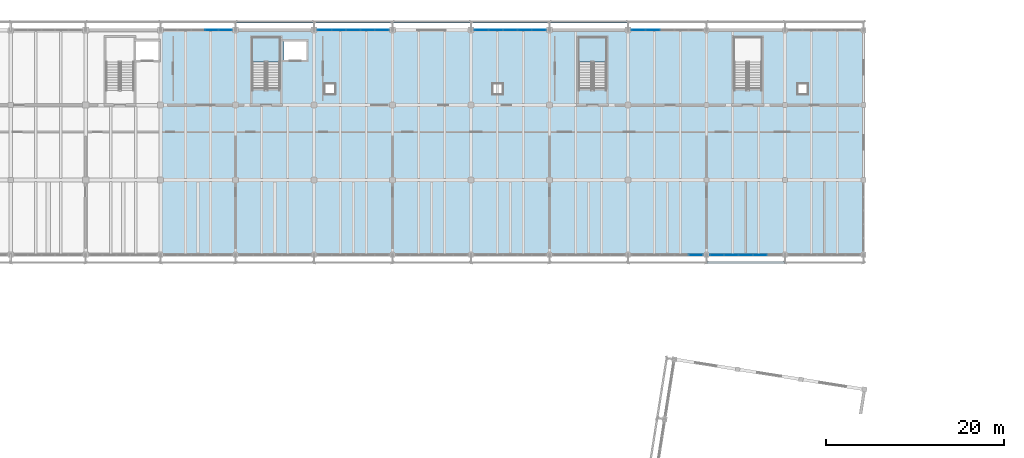
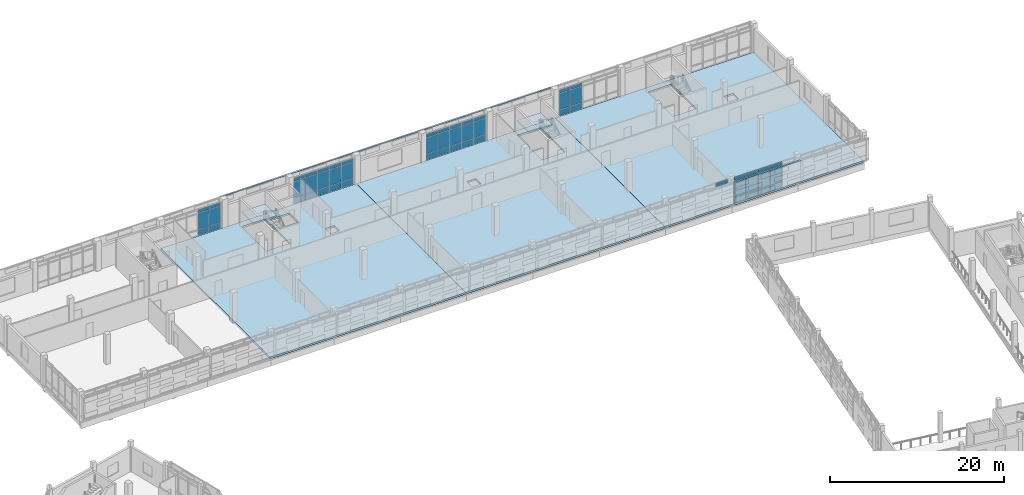
# One storey, part 102 of 137: 61 plates, 5 slabs, 8 elements without a shape of their own.
"""IFC4 building model written with IfcOpenShell, lengths in metres."""

import ifcopenshell
import ifcopenshell.guid

model = None  # the IFC model being written
_history = None  # IfcOwnerHistory: only IFC2X3 demands one
_inside = {}  # id of a spatial element -> (the spatial element, [elements in it])
_under = {}  # id of a project, library or spatial element -> (it, [spatial elements below it])
_declared = {}  # id of a project -> (the project, [libraries it declares])
_typed = {}  # id of a type object -> (the type object, [elements of that type])
_made_of = {}  # id of a material, layer set ... -> (it, [elements and type objects made of it])


def new_model(schema):
    """Start an empty IFC model of exactly this schema.

    Asked for "IFC4X3", IfcOpenShell would pick the latest addendum, in which some entities
    have other attributes; the version numbers below select the first issue.
    IFC2X3 requires an IfcOwnerHistory on every rooted entity: one is made here for all.
    """
    global model, _history
    if schema == "IFC4X3":
        model = ifcopenshell.file(schema_version=(4, 3, 0, 0))
    else:
        model = ifcopenshell.file(schema=schema)
    _inside.clear()
    _under.clear()
    _declared.clear()
    _typed.clear()
    _made_of.clear()
    _history = None
    if model.schema == "IFC2X3":
        org = make("IfcOrganization", Name="unknown")
        user = make(
            "IfcPersonAndOrganization",
            ThePerson=make("IfcPerson", FamilyName="unknown"),
            TheOrganization=org,
        )
        app = make(
            "IfcApplication",
            ApplicationDeveloper=org,
            Version="unknown",
            ApplicationFullName="unknown",
            ApplicationIdentifier="unknown",
        )
        _history = make(
            "IfcOwnerHistory",
            OwningUser=user,
            OwningApplication=app,
            ChangeAction="ADDED",
            CreationDate=0,
        )
    return model


def make(cls, **values):
    """One entity of the class cls with the attributes given. An attribute that is None is left unset."""
    return model.create_entity(
        cls, **{name: value for name, value in values.items() if value is not None}
    )


def rooted(cls, **values):
    """An entity with a GlobalId (a new one), such as an element, a storey or a relation."""
    return make(cls, GlobalId=ifcopenshell.guid.new(), OwnerHistory=_history, **values)


def si_unit(unit_type, name, prefix=None):
    """IfcSIUnit, for example si_unit("LENGTHUNIT", "METRE", prefix="MILLI")."""
    return make("IfcSIUnit", UnitType=unit_type, Prefix=prefix, Name=name)


def assignment(units):
    """IfcUnitAssignment: the units of a project."""
    return None if units is None else make("IfcUnitAssignment", Units=units)


def point(xyz):
    """IfcCartesianPoint."""
    return None if xyz is None else make("IfcCartesianPoint", Coordinates=xyz)


def direction(xyz):
    """IfcDirection."""
    return None if xyz is None else make("IfcDirection", DirectionRatios=xyz)


def frame(location, z_axis=None, x_axis=None):
    """IfcAxis2Placement3D, a coordinate frame: its origin and axes. An axis left out is left unset."""
    return make(
        "IfcAxis2Placement3D",
        Location=point(location),
        Axis=direction(z_axis),
        RefDirection=direction(x_axis),
    )


def frame_2d(location, x_axis=None):
    """IfcAxis2Placement2D, a coordinate frame in the plane: its origin and x axis."""
    return make(
        "IfcAxis2Placement2D", Location=point(location), RefDirection=direction(x_axis)
    )


def origin():
    """The frame at (0, 0, 0) with its axes left unset."""
    return frame((0.0, 0.0, 0.0))


def origin_2d():
    """The frame at (0, 0) in the plane with its x axis left unset."""
    return frame_2d((0.0, 0.0))


def place(relative_to, where):
    """IfcLocalPlacement: puts the frame where relative to a parent placement (None: the world)."""
    return make(
        "IfcLocalPlacement", PlacementRelTo=relative_to, RelativePlacement=where
    )


def context(
    kind, dimensions, precision=None, world=None, true_north=None, identifier=None
):
    """IfcGeometricRepresentationContext, for example the 3D "Model" context."""
    return make(
        "IfcGeometricRepresentationContext",
        ContextIdentifier=identifier,
        ContextType=kind,
        CoordinateSpaceDimension=dimensions,
        Precision=precision,
        WorldCoordinateSystem=world,
        TrueNorth=true_north,
    )


def subcontext(parent, identifier, kind, view, scale=None):
    """IfcGeometricRepresentationSubContext, for example "Body" below "Model"."""
    return make(
        "IfcGeometricRepresentationSubContext",
        ContextIdentifier=identifier,
        ContextType=kind,
        ParentContext=parent,
        TargetScale=scale,
        TargetView=view,
    )


def project(units=None, contexts=None):
    """IfcProject with its units and contexts."""
    return rooted(
        "IfcProject",
        Name="project",
        RepresentationContexts=contexts,
        UnitsInContext=assignment(units),
    )


def spatial(cls, under=None, at=None, **own):
    """A site, building, storey or space (cls), placed at a placement, below another one or the project."""
    s = rooted(cls, ObjectPlacement=at, **own)
    if under is not None:
        _under.setdefault(under.id(), (under, []))[1].append(s)
    return s


def polyline(points):
    """IfcPolyline through the points."""
    return make("IfcPolyline", Points=[point(p) for p in points])


def profile(cls, at=None, kind="AREA", **sizes):
    """A parametric profile (cls). Its sizes go by their IFC names, for example OverallWidth=200.0."""
    return make(cls, ProfileType=kind, Position=at, **sizes)


def rectangle(**sizes):
    """IfcRectangleProfileDef."""
    return profile("IfcRectangleProfileDef", **sizes)


def outline(outer, holes=None, kind="AREA"):
    """IfcArbitraryClosedProfileDef: a profile drawn as a closed curve; with holes, ...WithVoids."""
    if holes is None:
        return make("IfcArbitraryClosedProfileDef", ProfileType=kind, OuterCurve=outer)
    return make(
        "IfcArbitraryProfileDefWithVoids",
        ProfileType=kind,
        OuterCurve=outer,
        InnerCurves=holes,
    )


def extrude(swept, where, along, depth):
    """IfcExtrudedAreaSolid: the profile swept, set in the frame where, extruded along a direction by depth."""
    return make(
        "IfcExtrudedAreaSolid",
        SweptArea=swept,
        Position=where,
        ExtrudedDirection=direction(along),
        Depth=depth,
    )


def shape(context_of_items, identifier, shape_type, items):
    """IfcShapeRepresentation: the items that make up one representation, for example the "Body"."""
    return make(
        "IfcShapeRepresentation",
        ContextOfItems=context_of_items,
        RepresentationIdentifier=identifier,
        RepresentationType=shape_type,
        Items=items,
    )


def material(Name=None, Category=None):
    """IfcMaterial."""
    return make("IfcMaterial", Name=Name, Category=Category)


def layer(
    of_material, thickness, ventilated=None, Name=None, Category=None, Priority=None
):
    """IfcMaterialLayer: one layer of a wall or slab, of a material (None: an air gap)."""
    return make(
        "IfcMaterialLayer",
        Material=of_material,
        LayerThickness=thickness,
        IsVentilated=ventilated,
        Name=Name,
        Category=Category,
        Priority=Priority,
    )


def layer_set(layers, Name=None):
    """IfcMaterialLayerSet."""
    return make("IfcMaterialLayerSet", MaterialLayers=layers, LayerSetName=Name)


def made_of(thing, what):
    """Note that an element or type object is made of a material, layer set ...; save() writes the relation."""
    if what is not None:
        _made_of.setdefault(what.id(), (what, []))[1].append(thing)
    return thing


def type_object(cls, material=None, **own):
    """A type object (cls), such as IfcWallType, which elements share."""
    return made_of(rooted(cls, **own), material)


def element(
    cls,
    number,
    at=None,
    inside=None,
    cuts=None,
    type_object=None,
    material=None,
    context=None,
    identifier="Body",
    shape_type=None,
    held_by="IfcProductDefinitionShape",
    body=None,
    shapes=None,
    **own,
):
    """One element of the class cls, such as IfcWall. Its Tag is "e" and its number.

    at: its placement. inside: the storey or other place that contains it. cuts: it is an
    opening in that element (IfcRelVoidsElement). A single representation is given by context,
    identifier, shape_type and body (its items); several are given by shapes. held_by: the class
    of the entity that holds the representations. save() writes the other relations.
    """
    e = rooted(cls, Tag="e%d" % number, ObjectPlacement=at, **own)
    if body is not None:
        shapes = [shape(context, identifier, shape_type, body)]
    if shapes is not None:
        e.Representation = make(held_by, Representations=shapes)
    if inside is not None:
        _inside.setdefault(inside.id(), (inside, []))[1].append(e)
    if cuts is not None:
        rooted(
            "IfcRelVoidsElement", RelatingBuildingElement=cuts, RelatedOpeningElement=e
        )
    if type_object is not None:
        _typed.setdefault(type_object.id(), (type_object, []))[1].append(e)
    return made_of(e, material)


def aggregate(whole, parts):
    """IfcRelAggregates: a whole, such as a stair, and the parts it consists of."""
    return rooted("IfcRelAggregates", RelatingObject=whole, RelatedObjects=parts)


def save(model, path):
    """Write the relations noted so far, then the file.

    IfcRelAggregates (storeys below a building ...), IfcRelContainedInSpatialStructure (elements
    in a storey), IfcRelDefinesByType, IfcRelAssociatesMaterial and IfcRelDeclares: one each for
    every whole, place, type object, material and project.
    """
    for whole, parts in _under.values():
        aggregate(whole, parts)
    for where, things in _inside.values():
        rooted(
            "IfcRelContainedInSpatialStructure",
            RelatedElements=things,
            RelatingStructure=where,
        )
    for kind, things in _typed.values():
        rooted("IfcRelDefinesByType", RelatedObjects=things, RelatingType=kind)
    for what, things in _made_of.values():
        rooted("IfcRelAssociatesMaterial", RelatedObjects=things, RelatingMaterial=what)
    for by, libraries in _declared.values():
        rooted("IfcRelDeclares", RelatingContext=by, RelatedDefinitions=libraries)
    model.write(path)


model = new_model("IFC4")

# Units and contexts
model_context = context("Model", 3, precision=1e-05, world=origin(), true_north=direction((0.0, 1.0)))
body_context = subcontext(model_context, "Body", "Model", "MODEL_VIEW")
ifc_project = project(units=[si_unit("LENGTHUNIT", "METRE"), si_unit("AREAUNIT", "SQUARE_METRE"), si_unit("VOLUMEUNIT", "CUBIC_METRE"), si_unit("PLANEANGLEUNIT", "RADIAN"), si_unit("MASSUNIT", "GRAM", prefix="KILO")], contexts=[model_context])

# Site, building, storey
site_placement = place(None, origin())
site = spatial("IfcSite", under=ifc_project, at=site_placement, CompositionType="ELEMENT")
building_placement = place(site_placement, origin())
building = spatial("IfcBuilding", under=site, at=building_placement, Name="Cinderway Yard Community Centre", CompositionType="ELEMENT")
storey_placement = place(building_placement, frame((0.0, 0.0, 4.800048828125)))
storey = spatial("IfcBuildingStorey", under=building, at=storey_placement, Name="L01", CompositionType="ELEMENT", Elevation=4.800048828125)

# Curtain wall, plates
ifc_material_1 = material(Name="Aluminium 6063-T6", Category="aluminium")
curtain_wall_type_1 = type_object("IfcCurtainWallType", Name="ENV-CW-TYPE-26", PredefinedType="USERDEFINED", material=ifc_material_1)
curtain_wall_1_placement = place(storey_placement, origin())
curtain_wall_1 = element("IfcCurtainWall", 1, at=curtain_wall_1_placement, inside=storey, type_object=curtain_wall_type_1, Name="V4 Street Curtain Wall ENV-CW-L01-ST-0126", ObjectType="GLAZED CURTAIN WALL", PredefinedType="USERDEFINED")
ifc_material_2 = material(Name="Laminated Low-E Glass", Category="glass")
ifc_layer_1 = layer(ifc_material_2, 0.028076171875, Name="Laminated Low-E Glass")
ifc_layer_set_1 = layer_set([ifc_layer_1], Name="Laminated Low-E Glass")
plate_type_1 = type_object("IfcPlateType", Name="ENV-CW-PAN-IGU28", PredefinedType="CURTAIN_PANEL", material=ifc_layer_set_1)
plate_1_placement = place(storey_placement, frame((72.528076171875, 115.199951171875, 0.059814453125), z_axis=(0.0, 0.0, 1.0), x_axis=(1.0, 0.0, 0.0)))
plate_1 = element("IfcPlate", 2, at=plate_1_placement, type_object=plate_type_1, Name="CW-26 panel 4.1", PredefinedType="CURTAIN_PANEL", context=body_context, shape_type="SweptSolid", body=[
    extrude(rectangle(XDim=1.468017578125, YDim=0.028076171875, at=origin_2d()), origin(), (0.0, 0.0, 1.0), 0.81005859375),
])
plate_2_placement = place(storey_placement, frame((72.528076171875, 115.199951171875, 0.93017578125), z_axis=(0.0, 0.0, 1.0), x_axis=(1.0, 0.0, 0.0)))
plate_2 = element("IfcPlate", 3, at=plate_2_placement, type_object=plate_type_1, Name="CW-26 panel 4.2", PredefinedType="CURTAIN_PANEL", context=body_context, shape_type="SweptSolid", body=[
    extrude(rectangle(XDim=1.468017578125, YDim=0.028076171875, at=origin_2d()), origin(), (0.0, 0.0, 1.0), 2.239990234375),
])
plate_3_placement = place(storey_placement, frame((72.528076171875, 115.199951171875, 3.22998046875), z_axis=(0.0, 0.0, 1.0), x_axis=(1.0, 0.0, 0.0)))
plate_3 = element("IfcPlate", 4, at=plate_3_placement, type_object=plate_type_1, Name="CW-26 panel 4.3", PredefinedType="CURTAIN_PANEL", context=body_context, shape_type="SweptSolid", body=[
    extrude(rectangle(XDim=1.468017578125, YDim=0.028076171875, at=origin_2d()), origin(), (0.0, 0.0, 1.0), 0.4599609375),
])
plate_4_placement = place(storey_placement, frame((74.041015625, 115.199951171875, 0.059814453125), z_axis=(0.0, 0.0, 1.0), x_axis=(1.0, 0.0, 0.0)))
plate_4 = element("IfcPlate", 5, at=plate_4_placement, type_object=plate_type_1, Name="CW-26 panel 5.1", PredefinedType="CURTAIN_PANEL", context=body_context, shape_type="SweptSolid", body=[
    extrude(rectangle(XDim=1.43798828125, YDim=0.028076171875, at=origin_2d()), origin(), (0.0, 0.0, 1.0), 0.81005859375),
])
plate_5_placement = place(storey_placement, frame((74.041015625, 115.199951171875, 0.93017578125), z_axis=(0.0, 0.0, 1.0), x_axis=(1.0, 0.0, 0.0)))
plate_5 = element("IfcPlate", 6, at=plate_5_placement, type_object=plate_type_1, Name="CW-26 panel 5.2", PredefinedType="CURTAIN_PANEL", context=body_context, shape_type="SweptSolid", body=[
    extrude(rectangle(XDim=1.43798828125, YDim=0.028076171875, at=origin_2d()), origin(), (0.0, 0.0, 1.0), 2.239990234375),
])
plate_6_placement = place(storey_placement, frame((74.041015625, 115.199951171875, 3.22998046875), z_axis=(0.0, 0.0, 1.0), x_axis=(1.0, 0.0, 0.0)))
plate_6 = element("IfcPlate", 7, at=plate_6_placement, type_object=plate_type_1, Name="CW-26 panel 5.3", PredefinedType="CURTAIN_PANEL", context=body_context, shape_type="SweptSolid", body=[
    extrude(rectangle(XDim=1.43798828125, YDim=0.028076171875, at=origin_2d()), origin(), (0.0, 0.0, 1.0), 0.4599609375),
])
aggregate(curtain_wall_1, [plate_1, plate_2, plate_3, plate_4, plate_5, plate_6])

curtain_wall_type_2 = type_object("IfcCurtainWallType", Name="ENV-CW-TYPE-27", PredefinedType="USERDEFINED", material=ifc_material_1)
curtain_wall_2_placement = place(storey_placement, origin())
curtain_wall_2 = element("IfcCurtainWall", 8, at=curtain_wall_2_placement, inside=storey, type_object=curtain_wall_type_2, Name="V4 Street Curtain Wall ENV-CW-L01-ST-0129", ObjectType="GLAZED CURTAIN WALL", PredefinedType="USERDEFINED")
plate_7_placement = place(storey_placement, frame((85.198974609375, 115.199951171875, 0.059814453125), z_axis=(0.0, 0.0, 1.0), x_axis=(1.0, 0.0, 0.0)))
plate_7 = element("IfcPlate", 9, at=plate_7_placement, type_object=plate_type_1, Name="CW-27 panel 1.1", PredefinedType="CURTAIN_PANEL", context=body_context, shape_type="SweptSolid", body=[
    extrude(rectangle(XDim=1.51806640625, YDim=0.028076171875, at=origin_2d()), origin(), (0.0, 0.0, 1.0), 0.81005859375),
])
plate_8_placement = place(storey_placement, frame((85.198974609375, 115.199951171875, 0.93017578125), z_axis=(0.0, 0.0, 1.0), x_axis=(1.0, 0.0, 0.0)))
plate_8 = element("IfcPlate", 10, at=plate_8_placement, type_object=plate_type_1, Name="CW-27 panel 1.2", PredefinedType="CURTAIN_PANEL", context=body_context, shape_type="SweptSolid", body=[
    extrude(rectangle(XDim=1.51806640625, YDim=0.028076171875, at=origin_2d()), origin(), (0.0, 0.0, 1.0), 2.239990234375),
])
plate_9_placement = place(storey_placement, frame((85.198974609375, 115.199951171875, 3.22998046875), z_axis=(0.0, 0.0, 1.0), x_axis=(1.0, 0.0, 0.0)))
plate_9 = element("IfcPlate", 11, at=plate_9_placement, type_object=plate_type_1, Name="CW-27 panel 1.3", PredefinedType="CURTAIN_PANEL", context=body_context, shape_type="SweptSolid", body=[
    extrude(rectangle(XDim=1.51806640625, YDim=0.028076171875, at=origin_2d()), origin(), (0.0, 0.0, 1.0), 0.4599609375),
])
plate_10_placement = place(storey_placement, frame((86.7919921875, 115.199951171875, 0.059814453125), z_axis=(0.0, 0.0, 1.0), x_axis=(1.0, 0.0, 0.0)))
plate_10 = element("IfcPlate", 12, at=plate_10_placement, type_object=plate_type_1, Name="CW-27 panel 2.1", PredefinedType="CURTAIN_PANEL", context=body_context, shape_type="SweptSolid", body=[
    extrude(rectangle(XDim=1.548095703125, YDim=0.028076171875, at=origin_2d()), origin(), (0.0, 0.0, 1.0), 0.81005859375),
])
plate_11_placement = place(storey_placement, frame((86.7919921875, 115.199951171875, 0.93017578125), z_axis=(0.0, 0.0, 1.0), x_axis=(1.0, 0.0, 0.0)))
plate_11 = element("IfcPlate", 13, at=plate_11_placement, type_object=plate_type_1, Name="CW-27 panel 2.2", PredefinedType="CURTAIN_PANEL", context=body_context, shape_type="SweptSolid", body=[
    extrude(rectangle(XDim=1.548095703125, YDim=0.028076171875, at=origin_2d()), origin(), (0.0, 0.0, 1.0), 2.239990234375),
])
plate_12_placement = place(storey_placement, frame((86.7919921875, 115.199951171875, 3.22998046875), z_axis=(0.0, 0.0, 1.0), x_axis=(1.0, 0.0, 0.0)))
plate_12 = element("IfcPlate", 14, at=plate_12_placement, type_object=plate_type_1, Name="CW-27 panel 2.3", PredefinedType="CURTAIN_PANEL", context=body_context, shape_type="SweptSolid", body=[
    extrude(rectangle(XDim=1.548095703125, YDim=0.028076171875, at=origin_2d()), origin(), (0.0, 0.0, 1.0), 0.4599609375),
])
plate_13_placement = place(storey_placement, frame((88.39990234375, 115.199951171875, 0.059814453125), z_axis=(0.0, 0.0, 1.0), x_axis=(1.0, 0.0, 0.0)))
plate_13 = element("IfcPlate", 15, at=plate_13_placement, type_object=plate_type_1, Name="CW-27 panel 3.1", PredefinedType="CURTAIN_PANEL", context=body_context, shape_type="SweptSolid", body=[
    extrude(rectangle(XDim=1.548095703125, YDim=0.028076171875, at=origin_2d()), origin(), (0.0, 0.0, 1.0), 0.81005859375),
])
plate_14_placement = place(storey_placement, frame((88.39990234375, 115.199951171875, 0.93017578125), z_axis=(0.0, 0.0, 1.0), x_axis=(1.0, 0.0, 0.0)))
plate_14 = element("IfcPlate", 16, at=plate_14_placement, type_object=plate_type_1, Name="CW-27 panel 3.2", PredefinedType="CURTAIN_PANEL", context=body_context, shape_type="SweptSolid", body=[
    extrude(rectangle(XDim=1.548095703125, YDim=0.028076171875, at=origin_2d()), origin(), (0.0, 0.0, 1.0), 2.239990234375),
])
plate_15_placement = place(storey_placement, frame((88.39990234375, 115.199951171875, 3.22998046875), z_axis=(0.0, 0.0, 1.0), x_axis=(1.0, 0.0, 0.0)))
plate_15 = element("IfcPlate", 17, at=plate_15_placement, type_object=plate_type_1, Name="CW-27 panel 3.3", PredefinedType="CURTAIN_PANEL", context=body_context, shape_type="SweptSolid", body=[
    extrude(rectangle(XDim=1.548095703125, YDim=0.028076171875, at=origin_2d()), origin(), (0.0, 0.0, 1.0), 0.4599609375),
])
plate_16_placement = place(storey_placement, frame((90.008056640625, 115.199951171875, 0.059814453125), z_axis=(0.0, 0.0, 1.0), x_axis=(1.0, 0.0, 0.0)))
plate_16 = element("IfcPlate", 18, at=plate_16_placement, type_object=plate_type_1, Name="CW-27 panel 4.1", PredefinedType="CURTAIN_PANEL", context=body_context, shape_type="SweptSolid", body=[
    extrude(rectangle(XDim=1.548095703125, YDim=0.028076171875, at=origin_2d()), origin(), (0.0, 0.0, 1.0), 0.81005859375),
])
plate_17_placement = place(storey_placement, frame((90.008056640625, 115.199951171875, 0.93017578125), z_axis=(0.0, 0.0, 1.0), x_axis=(1.0, 0.0, 0.0)))
plate_17 = element("IfcPlate", 19, at=plate_17_placement, type_object=plate_type_1, Name="CW-27 panel 4.2", PredefinedType="CURTAIN_PANEL", context=body_context, shape_type="SweptSolid", body=[
    extrude(rectangle(XDim=1.548095703125, YDim=0.028076171875, at=origin_2d()), origin(), (0.0, 0.0, 1.0), 2.239990234375),
])
plate_18_placement = place(storey_placement, frame((90.008056640625, 115.199951171875, 3.22998046875), z_axis=(0.0, 0.0, 1.0), x_axis=(1.0, 0.0, 0.0)))
plate_18 = element("IfcPlate", 20, at=plate_18_placement, type_object=plate_type_1, Name="CW-27 panel 4.3", PredefinedType="CURTAIN_PANEL", context=body_context, shape_type="SweptSolid", body=[
    extrude(rectangle(XDim=1.548095703125, YDim=0.028076171875, at=origin_2d()), origin(), (0.0, 0.0, 1.0), 0.4599609375),
])
plate_19_placement = place(storey_placement, frame((91.60107421875, 115.199951171875, 0.059814453125), z_axis=(0.0, 0.0, 1.0), x_axis=(1.0, 0.0, 0.0)))
plate_19 = element("IfcPlate", 21, at=plate_19_placement, type_object=plate_type_1, Name="CW-27 panel 5.1", PredefinedType="CURTAIN_PANEL", context=body_context, shape_type="SweptSolid", body=[
    extrude(rectangle(XDim=1.51806640625, YDim=0.028076171875, at=origin_2d()), origin(), (0.0, 0.0, 1.0), 0.81005859375),
])
plate_20_placement = place(storey_placement, frame((91.60107421875, 115.199951171875, 0.93017578125), z_axis=(0.0, 0.0, 1.0), x_axis=(1.0, 0.0, 0.0)))
plate_20 = element("IfcPlate", 22, at=plate_20_placement, type_object=plate_type_1, Name="CW-27 panel 5.2", PredefinedType="CURTAIN_PANEL", context=body_context, shape_type="SweptSolid", body=[
    extrude(rectangle(XDim=1.51806640625, YDim=0.028076171875, at=origin_2d()), origin(), (0.0, 0.0, 1.0), 2.239990234375),
])
plate_21_placement = place(storey_placement, frame((91.60107421875, 115.199951171875, 3.22998046875), z_axis=(0.0, 0.0, 1.0), x_axis=(1.0, 0.0, 0.0)))
plate_21 = element("IfcPlate", 23, at=plate_21_placement, type_object=plate_type_1, Name="CW-27 panel 5.3", PredefinedType="CURTAIN_PANEL", context=body_context, shape_type="SweptSolid", body=[
    extrude(rectangle(XDim=1.51806640625, YDim=0.028076171875, at=origin_2d()), origin(), (0.0, 0.0, 1.0), 0.4599609375),
])
aggregate(curtain_wall_2, [plate_7, plate_8, plate_9, plate_10, plate_11, plate_12, plate_13, plate_14, plate_15, plate_16, plate_17, plate_18, plate_19, plate_20, plate_21])

curtain_wall_3_placement = place(storey_placement, origin())
curtain_wall_3 = element("IfcCurtainWall", 24, at=curtain_wall_3_placement, inside=storey, type_object=curtain_wall_type_2, Name="V4 Street Curtain Wall ENV-CW-L01-ST-0132", ObjectType="GLAZED CURTAIN WALL", PredefinedType="USERDEFINED")
plate_22_placement = place(storey_placement, frame((102.799072265625, 115.199951171875, 0.059814453125), z_axis=(0.0, 0.0, 1.0), x_axis=(1.0, 0.0, 0.0)))
plate_22 = element("IfcPlate", 25, at=plate_22_placement, type_object=plate_type_1, Name="CW-27 panel 1.1", PredefinedType="CURTAIN_PANEL", context=body_context, shape_type="SweptSolid", body=[
    extrude(rectangle(XDim=1.51806640625, YDim=0.028076171875, at=origin_2d()), origin(), (0.0, 0.0, 1.0), 0.81005859375),
])
plate_23_placement = place(storey_placement, frame((102.799072265625, 115.199951171875, 0.93017578125), z_axis=(0.0, 0.0, 1.0), x_axis=(1.0, 0.0, 0.0)))
plate_23 = element("IfcPlate", 26, at=plate_23_placement, type_object=plate_type_1, Name="CW-27 panel 1.2", PredefinedType="CURTAIN_PANEL", context=body_context, shape_type="SweptSolid", body=[
    extrude(rectangle(XDim=1.51806640625, YDim=0.028076171875, at=origin_2d()), origin(), (0.0, 0.0, 1.0), 2.239990234375),
])
plate_24_placement = place(storey_placement, frame((102.799072265625, 115.199951171875, 3.22998046875), z_axis=(0.0, 0.0, 1.0), x_axis=(1.0, 0.0, 0.0)))
plate_24 = element("IfcPlate", 27, at=plate_24_placement, type_object=plate_type_1, Name="CW-27 panel 1.3", PredefinedType="CURTAIN_PANEL", context=body_context, shape_type="SweptSolid", body=[
    extrude(rectangle(XDim=1.51806640625, YDim=0.028076171875, at=origin_2d()), origin(), (0.0, 0.0, 1.0), 0.4599609375),
])
plate_25_placement = place(storey_placement, frame((104.39208984375, 115.199951171875, 0.059814453125), z_axis=(0.0, 0.0, 1.0), x_axis=(1.0, 0.0, 0.0)))
plate_25 = element("IfcPlate", 28, at=plate_25_placement, type_object=plate_type_1, Name="CW-27 panel 2.1", PredefinedType="CURTAIN_PANEL", context=body_context, shape_type="SweptSolid", body=[
    extrude(rectangle(XDim=1.548095703125, YDim=0.028076171875, at=origin_2d()), origin(), (0.0, 0.0, 1.0), 0.81005859375),
])
plate_26_placement = place(storey_placement, frame((104.39208984375, 115.199951171875, 0.93017578125), z_axis=(0.0, 0.0, 1.0), x_axis=(1.0, 0.0, 0.0)))
plate_26 = element("IfcPlate", 29, at=plate_26_placement, type_object=plate_type_1, Name="CW-27 panel 2.2", PredefinedType="CURTAIN_PANEL", context=body_context, shape_type="SweptSolid", body=[
    extrude(rectangle(XDim=1.548095703125, YDim=0.028076171875, at=origin_2d()), origin(), (0.0, 0.0, 1.0), 2.239990234375),
])
plate_27_placement = place(storey_placement, frame((104.39208984375, 115.199951171875, 3.22998046875), z_axis=(0.0, 0.0, 1.0), x_axis=(1.0, 0.0, 0.0)))
plate_27 = element("IfcPlate", 30, at=plate_27_placement, type_object=plate_type_1, Name="CW-27 panel 2.3", PredefinedType="CURTAIN_PANEL", context=body_context, shape_type="SweptSolid", body=[
    extrude(rectangle(XDim=1.548095703125, YDim=0.028076171875, at=origin_2d()), origin(), (0.0, 0.0, 1.0), 0.4599609375),
])
plate_28_placement = place(storey_placement, frame((106.0, 115.199951171875, 0.059814453125), z_axis=(0.0, 0.0, 1.0), x_axis=(1.0, 0.0, 0.0)))
plate_28 = element("IfcPlate", 31, at=plate_28_placement, type_object=plate_type_1, Name="CW-27 panel 3.1", PredefinedType="CURTAIN_PANEL", context=body_context, shape_type="SweptSolid", body=[
    extrude(rectangle(XDim=1.548095703125, YDim=0.028076171875, at=origin_2d()), origin(), (0.0, 0.0, 1.0), 0.81005859375),
])
plate_29_placement = place(storey_placement, frame((106.0, 115.199951171875, 0.93017578125), z_axis=(0.0, 0.0, 1.0), x_axis=(1.0, 0.0, 0.0)))
plate_29 = element("IfcPlate", 32, at=plate_29_placement, type_object=plate_type_1, Name="CW-27 panel 3.2", PredefinedType="CURTAIN_PANEL", context=body_context, shape_type="SweptSolid", body=[
    extrude(rectangle(XDim=1.548095703125, YDim=0.028076171875, at=origin_2d()), origin(), (0.0, 0.0, 1.0), 2.239990234375),
])
plate_30_placement = place(storey_placement, frame((106.0, 115.199951171875, 3.22998046875), z_axis=(0.0, 0.0, 1.0), x_axis=(1.0, 0.0, 0.0)))
plate_30 = element("IfcPlate", 33, at=plate_30_placement, type_object=plate_type_1, Name="CW-27 panel 3.3", PredefinedType="CURTAIN_PANEL", context=body_context, shape_type="SweptSolid", body=[
    extrude(rectangle(XDim=1.548095703125, YDim=0.028076171875, at=origin_2d()), origin(), (0.0, 0.0, 1.0), 0.4599609375),
])
plate_31_placement = place(storey_placement, frame((107.60791015625, 115.199951171875, 0.059814453125), z_axis=(0.0, 0.0, 1.0), x_axis=(1.0, 0.0, 0.0)))
plate_31 = element("IfcPlate", 34, at=plate_31_placement, type_object=plate_type_1, Name="CW-27 panel 4.1", PredefinedType="CURTAIN_PANEL", context=body_context, shape_type="SweptSolid", body=[
    extrude(rectangle(XDim=1.548095703125, YDim=0.028076171875, at=origin_2d()), origin(), (0.0, 0.0, 1.0), 0.81005859375),
])
plate_32_placement = place(storey_placement, frame((107.60791015625, 115.199951171875, 0.93017578125), z_axis=(0.0, 0.0, 1.0), x_axis=(1.0, 0.0, 0.0)))
plate_32 = element("IfcPlate", 35, at=plate_32_placement, type_object=plate_type_1, Name="CW-27 panel 4.2", PredefinedType="CURTAIN_PANEL", context=body_context, shape_type="SweptSolid", body=[
    extrude(rectangle(XDim=1.548095703125, YDim=0.028076171875, at=origin_2d()), origin(), (0.0, 0.0, 1.0), 2.239990234375),
])
plate_33_placement = place(storey_placement, frame((107.60791015625, 115.199951171875, 3.22998046875), z_axis=(0.0, 0.0, 1.0), x_axis=(1.0, 0.0, 0.0)))
plate_33 = element("IfcPlate", 36, at=plate_33_placement, type_object=plate_type_1, Name="CW-27 panel 4.3", PredefinedType="CURTAIN_PANEL", context=body_context, shape_type="SweptSolid", body=[
    extrude(rectangle(XDim=1.548095703125, YDim=0.028076171875, at=origin_2d()), origin(), (0.0, 0.0, 1.0), 0.4599609375),
])
plate_34_placement = place(storey_placement, frame((109.200927734375, 115.199951171875, 0.059814453125), z_axis=(0.0, 0.0, 1.0), x_axis=(1.0, 0.0, 0.0)))
plate_34 = element("IfcPlate", 37, at=plate_34_placement, type_object=plate_type_1, Name="CW-27 panel 5.1", PredefinedType="CURTAIN_PANEL", context=body_context, shape_type="SweptSolid", body=[
    extrude(rectangle(XDim=1.51806640625, YDim=0.028076171875, at=origin_2d()), origin(), (0.0, 0.0, 1.0), 0.81005859375),
])
plate_35_placement = place(storey_placement, frame((109.200927734375, 115.199951171875, 0.93017578125), z_axis=(0.0, 0.0, 1.0), x_axis=(1.0, 0.0, 0.0)))
plate_35 = element("IfcPlate", 38, at=plate_35_placement, type_object=plate_type_1, Name="CW-27 panel 5.2", PredefinedType="CURTAIN_PANEL", context=body_context, shape_type="SweptSolid", body=[
    extrude(rectangle(XDim=1.51806640625, YDim=0.028076171875, at=origin_2d()), origin(), (0.0, 0.0, 1.0), 2.239990234375),
])
plate_36_placement = place(storey_placement, frame((109.200927734375, 115.199951171875, 3.22998046875), z_axis=(0.0, 0.0, 1.0), x_axis=(1.0, 0.0, 0.0)))
plate_36 = element("IfcPlate", 39, at=plate_36_placement, type_object=plate_type_1, Name="CW-27 panel 5.3", PredefinedType="CURTAIN_PANEL", context=body_context, shape_type="SweptSolid", body=[
    extrude(rectangle(XDim=1.51806640625, YDim=0.028076171875, at=origin_2d()), origin(), (0.0, 0.0, 1.0), 0.4599609375),
])
aggregate(curtain_wall_3, [plate_22, plate_23, plate_24, plate_25, plate_26, plate_27, plate_28, plate_29, plate_30, plate_31, plate_32, plate_33, plate_34, plate_35, plate_36])

curtain_wall_4_placement = place(storey_placement, origin())
curtain_wall_4 = element("IfcCurtainWall", 40, at=curtain_wall_4_placement, inside=storey, type_object=curtain_wall_type_2, Name="V4 Street Curtain Wall ENV-CW-L01-ST-0135", ObjectType="GLAZED CURTAIN WALL", PredefinedType="USERDEFINED")
plate_37_placement = place(storey_placement, frame((120.39892578125, 115.199951171875, 0.059814453125), z_axis=(0.0, 0.0, 1.0), x_axis=(1.0, 0.0, 0.0)))
plate_37 = element("IfcPlate", 41, at=plate_37_placement, type_object=plate_type_1, Name="CW-27 panel 1.1", PredefinedType="CURTAIN_PANEL", context=body_context, shape_type="SweptSolid", body=[
    extrude(rectangle(XDim=1.51806640625, YDim=0.028076171875, at=origin_2d()), origin(), (0.0, 0.0, 1.0), 0.81005859375),
])
plate_38_placement = place(storey_placement, frame((120.39892578125, 115.199951171875, 0.93017578125), z_axis=(0.0, 0.0, 1.0), x_axis=(1.0, 0.0, 0.0)))
plate_38 = element("IfcPlate", 42, at=plate_38_placement, type_object=plate_type_1, Name="CW-27 panel 1.2", PredefinedType="CURTAIN_PANEL", context=body_context, shape_type="SweptSolid", body=[
    extrude(rectangle(XDim=1.51806640625, YDim=0.028076171875, at=origin_2d()), origin(), (0.0, 0.0, 1.0), 2.239990234375),
])
plate_39_placement = place(storey_placement, frame((120.39892578125, 115.199951171875, 3.22998046875), z_axis=(0.0, 0.0, 1.0), x_axis=(1.0, 0.0, 0.0)))
plate_39 = element("IfcPlate", 43, at=plate_39_placement, type_object=plate_type_1, Name="CW-27 panel 1.3", PredefinedType="CURTAIN_PANEL", context=body_context, shape_type="SweptSolid", body=[
    extrude(rectangle(XDim=1.51806640625, YDim=0.028076171875, at=origin_2d()), origin(), (0.0, 0.0, 1.0), 0.4599609375),
])
plate_40_placement = place(storey_placement, frame((121.991943359375, 115.199951171875, 0.059814453125), z_axis=(0.0, 0.0, 1.0), x_axis=(1.0, 0.0, 0.0)))
plate_40 = element("IfcPlate", 44, at=plate_40_placement, type_object=plate_type_1, Name="CW-27 panel 2.1", PredefinedType="CURTAIN_PANEL", context=body_context, shape_type="SweptSolid", body=[
    extrude(rectangle(XDim=1.548095703125, YDim=0.028076171875, at=origin_2d()), origin(), (0.0, 0.0, 1.0), 0.81005859375),
])
plate_41_placement = place(storey_placement, frame((121.991943359375, 115.199951171875, 0.93017578125), z_axis=(0.0, 0.0, 1.0), x_axis=(1.0, 0.0, 0.0)))
plate_41 = element("IfcPlate", 45, at=plate_41_placement, type_object=plate_type_1, Name="CW-27 panel 2.2", PredefinedType="CURTAIN_PANEL", context=body_context, shape_type="SweptSolid", body=[
    extrude(rectangle(XDim=1.548095703125, YDim=0.028076171875, at=origin_2d()), origin(), (0.0, 0.0, 1.0), 2.239990234375),
])
plate_42_placement = place(storey_placement, frame((121.991943359375, 115.199951171875, 3.22998046875), z_axis=(0.0, 0.0, 1.0), x_axis=(1.0, 0.0, 0.0)))
plate_42 = element("IfcPlate", 46, at=plate_42_placement, type_object=plate_type_1, Name="CW-27 panel 2.3", PredefinedType="CURTAIN_PANEL", context=body_context, shape_type="SweptSolid", body=[
    extrude(rectangle(XDim=1.548095703125, YDim=0.028076171875, at=origin_2d()), origin(), (0.0, 0.0, 1.0), 0.4599609375),
])
aggregate(curtain_wall_4, [plate_37, plate_38, plate_39, plate_40, plate_41, plate_42])

# Curtain wall, plate
curtain_wall_5_placement = place(storey_placement, origin())
curtain_wall_5 = element("IfcCurtainWall", 47, at=curtain_wall_5_placement, inside=storey, type_object=curtain_wall_type_2, Name="V4 Courtyard Curtain Wall ENV-CW-L01-ST-0136", ObjectType="GLAZED CURTAIN WALL", PredefinedType="USERDEFINED")
plate_43_placement = place(storey_placement, frame((126.801025390625, 90.0, 3.22998046875), z_axis=(0.0, 0.0, 1.0), x_axis=(1.0, 0.0, 0.0)))
plate_43 = element("IfcPlate", 48, at=plate_43_placement, type_object=plate_type_1, Name="CW-27 panel 5.3", PredefinedType="CURTAIN_PANEL", context=body_context, shape_type="SweptSolid", body=[
    extrude(rectangle(XDim=1.51806640625, YDim=0.028076171875, at=origin_2d()), origin(), (0.0, 0.0, 1.0), 0.4599609375),
])
aggregate(curtain_wall_5, [plate_43])

# Curtain wall, plates
curtain_wall_6_placement = place(storey_placement, origin())
curtain_wall_6 = element("IfcCurtainWall", 49, at=curtain_wall_6_placement, inside=storey, type_object=curtain_wall_type_2, Name="V4 Courtyard Curtain Wall ENV-CW-L01-ST-0137", ObjectType="GLAZED CURTAIN WALL", PredefinedType="USERDEFINED")
plate_44_placement = place(storey_placement, frame((129.198974609375, 90.0, 0.059814453125), z_axis=(0.0, 0.0, 1.0), x_axis=(1.0, 0.0, 0.0)))
plate_44 = element("IfcPlate", 50, at=plate_44_placement, type_object=plate_type_1, Name="CW-27 panel 1.1", PredefinedType="CURTAIN_PANEL", context=body_context, shape_type="SweptSolid", body=[
    extrude(rectangle(XDim=1.51806640625, YDim=0.028076171875, at=origin_2d()), origin(), (0.0, 0.0, 1.0), 0.81005859375),
])
plate_45_placement = place(storey_placement, frame((129.198974609375, 90.0, 0.93017578125), z_axis=(0.0, 0.0, 1.0), x_axis=(1.0, 0.0, 0.0)))
plate_45 = element("IfcPlate", 51, at=plate_45_placement, type_object=plate_type_1, Name="CW-27 panel 1.2", PredefinedType="CURTAIN_PANEL", context=body_context, shape_type="SweptSolid", body=[
    extrude(rectangle(XDim=1.51806640625, YDim=0.028076171875, at=origin_2d()), origin(), (0.0, 0.0, 1.0), 2.239990234375),
])
plate_46_placement = place(storey_placement, frame((129.198974609375, 90.0, 3.22998046875), z_axis=(0.0, 0.0, 1.0), x_axis=(1.0, 0.0, 0.0)))
plate_46 = element("IfcPlate", 52, at=plate_46_placement, type_object=plate_type_1, Name="CW-27 panel 1.3", PredefinedType="CURTAIN_PANEL", context=body_context, shape_type="SweptSolid", body=[
    extrude(rectangle(XDim=1.51806640625, YDim=0.028076171875, at=origin_2d()), origin(), (0.0, 0.0, 1.0), 0.4599609375),
])
plate_47_placement = place(storey_placement, frame((130.7919921875, 90.0, 0.059814453125), z_axis=(0.0, 0.0, 1.0), x_axis=(1.0, 0.0, 0.0)))
plate_47 = element("IfcPlate", 53, at=plate_47_placement, type_object=plate_type_1, Name="CW-27 panel 2.1", PredefinedType="CURTAIN_PANEL", context=body_context, shape_type="SweptSolid", body=[
    extrude(rectangle(XDim=1.548095703125, YDim=0.028076171875, at=origin_2d()), origin(), (0.0, 0.0, 1.0), 0.81005859375),
])
plate_48_placement = place(storey_placement, frame((130.7919921875, 90.0, 0.93017578125), z_axis=(0.0, 0.0, 1.0), x_axis=(1.0, 0.0, 0.0)))
plate_48 = element("IfcPlate", 54, at=plate_48_placement, type_object=plate_type_1, Name="CW-27 panel 2.2", PredefinedType="CURTAIN_PANEL", context=body_context, shape_type="SweptSolid", body=[
    extrude(rectangle(XDim=1.548095703125, YDim=0.028076171875, at=origin_2d()), origin(), (0.0, 0.0, 1.0), 2.239990234375),
])
plate_49_placement = place(storey_placement, frame((130.7919921875, 90.0, 3.22998046875), z_axis=(0.0, 0.0, 1.0), x_axis=(1.0, 0.0, 0.0)))
plate_49 = element("IfcPlate", 55, at=plate_49_placement, type_object=plate_type_1, Name="CW-27 panel 2.3", PredefinedType="CURTAIN_PANEL", context=body_context, shape_type="SweptSolid", body=[
    extrude(rectangle(XDim=1.548095703125, YDim=0.028076171875, at=origin_2d()), origin(), (0.0, 0.0, 1.0), 0.4599609375),
])
plate_50_placement = place(storey_placement, frame((132.39990234375, 90.0, 0.059814453125), z_axis=(0.0, 0.0, 1.0), x_axis=(1.0, 0.0, 0.0)))
plate_50 = element("IfcPlate", 56, at=plate_50_placement, type_object=plate_type_1, Name="CW-27 panel 3.1", PredefinedType="CURTAIN_PANEL", context=body_context, shape_type="SweptSolid", body=[
    extrude(rectangle(XDim=1.548095703125, YDim=0.028076171875, at=origin_2d()), origin(), (0.0, 0.0, 1.0), 0.81005859375),
])
plate_51_placement = place(storey_placement, frame((132.39990234375, 90.0, 0.93017578125), z_axis=(0.0, 0.0, 1.0), x_axis=(1.0, 0.0, 0.0)))
plate_51 = element("IfcPlate", 57, at=plate_51_placement, type_object=plate_type_1, Name="CW-27 panel 3.2", PredefinedType="CURTAIN_PANEL", context=body_context, shape_type="SweptSolid", body=[
    extrude(rectangle(XDim=1.548095703125, YDim=0.028076171875, at=origin_2d()), origin(), (0.0, 0.0, 1.0), 2.239990234375),
])
plate_52_placement = place(storey_placement, frame((132.39990234375, 90.0, 3.22998046875), z_axis=(0.0, 0.0, 1.0), x_axis=(1.0, 0.0, 0.0)))
plate_52 = element("IfcPlate", 58, at=plate_52_placement, type_object=plate_type_1, Name="CW-27 panel 3.3", PredefinedType="CURTAIN_PANEL", context=body_context, shape_type="SweptSolid", body=[
    extrude(rectangle(XDim=1.548095703125, YDim=0.028076171875, at=origin_2d()), origin(), (0.0, 0.0, 1.0), 0.4599609375),
])
plate_53_placement = place(storey_placement, frame((134.008056640625, 90.0, 0.059814453125), z_axis=(0.0, 0.0, 1.0), x_axis=(1.0, 0.0, 0.0)))
plate_53 = element("IfcPlate", 59, at=plate_53_placement, type_object=plate_type_1, Name="CW-27 panel 4.1", PredefinedType="CURTAIN_PANEL", context=body_context, shape_type="SweptSolid", body=[
    extrude(rectangle(XDim=1.548095703125, YDim=0.028076171875, at=origin_2d()), origin(), (0.0, 0.0, 1.0), 0.81005859375),
])
plate_54_placement = place(storey_placement, frame((134.008056640625, 90.0, 0.93017578125), z_axis=(0.0, 0.0, 1.0), x_axis=(1.0, 0.0, 0.0)))
plate_54 = element("IfcPlate", 60, at=plate_54_placement, type_object=plate_type_1, Name="CW-27 panel 4.2", PredefinedType="CURTAIN_PANEL", context=body_context, shape_type="SweptSolid", body=[
    extrude(rectangle(XDim=1.548095703125, YDim=0.028076171875, at=origin_2d()), origin(), (0.0, 0.0, 1.0), 2.239990234375),
])
plate_55_placement = place(storey_placement, frame((134.008056640625, 90.0, 3.22998046875), z_axis=(0.0, 0.0, 1.0), x_axis=(1.0, 0.0, 0.0)))
plate_55 = element("IfcPlate", 61, at=plate_55_placement, type_object=plate_type_1, Name="CW-27 panel 4.3", PredefinedType="CURTAIN_PANEL", context=body_context, shape_type="SweptSolid", body=[
    extrude(rectangle(XDim=1.548095703125, YDim=0.028076171875, at=origin_2d()), origin(), (0.0, 0.0, 1.0), 0.4599609375),
])
aggregate(curtain_wall_6, [plate_44, plate_45, plate_46, plate_47, plate_48, plate_49, plate_50, plate_51, plate_52, plate_53, plate_54, plate_55])

# Plates
ifc_layer_2 = layer(ifc_material_1, 0.01611328125, Name="Aluminium 6063-T6")
ifc_layer_set_2 = layer_set([ifc_layer_2], Name="Aluminium 6063-T6")
plate_type_2 = type_object("IfcPlateType", Name="ENV-PLT-FASCIA16", PredefinedType="USERDEFINED", material=ifc_layer_set_2)
for number, where, z_axis, x_axis, name in (
    (62, (79.60009765625, 116.14990234375, 3.7119140625), (0.0, 0.0, 1.0), (1.0, 0.0, 0.0), "Screen coping fascia 0005"),
    (63, (88.39990234375, 116.14990234375, 3.7119140625), (0.0, 0.0, 1.0), (1.0, 0.0, 0.0), "Screen coping fascia 0006"),
    (64, (97.199951171875, 116.14990234375, 3.7119140625), (0.0, 0.0, 1.0), (1.0, 0.0, 0.0), "Screen coping fascia 0007"),
    (65, (106.0, 116.14990234375, 3.7119140625), (0.0, 0.0, 1.0), (1.0, 0.0, 0.0), "Screen coping fascia 0008"),
    (66, (114.800048828125, 116.14990234375, 3.7119140625), (0.0, 0.0, 1.0), (1.0, 0.0, 0.0), "Screen coping fascia 0009"),
    (67, (132.39990234375, 89.14990234375, 3.7119140625), (0.0, 0.0, 1.0), (-1.0, 0.0, 0.0), "Screen coping fascia 0050"),
):
    element("IfcPlate", number, at=place(storey_placement, frame(where, z_axis=z_axis, x_axis=x_axis)), inside=storey, type_object=plate_type_2, Name=name, ObjectType="FASCIA PLATE", PredefinedType="USERDEFINED", context=body_context, shape_type="SweptSolid", body=[
        extrude(rectangle(XDim=8.699951171875, YDim=0.260009765625, at=origin_2d()), origin(), (0.0, 0.0, 1.0), 0.01611328125),
    ])

# Stair, slab
ifc_material_3 = material(Name="Concrete C40/50", Category="concrete")
stair_type_1 = type_object("IfcStairType", Name="INT-STR-420B", PredefinedType="HALF_TURN_STAIR", material=ifc_material_3)
stair_1_placement = place(storey_placement, origin())
stair_1 = element("IfcStair", 68, at=stair_1_placement, inside=storey, type_object=stair_type_1, Name="L01 Core C2A Exit Stair ST-02", PredefinedType="HALF_TURN_STAIR")
ifc_layer_3 = layer(ifc_material_3, 0.199951171875, Name="Concrete C40/50")
ifc_layer_set_3 = layer_set([ifc_layer_3], Name="Concrete C40/50")
slab_type_1 = type_object("IfcSlabType", Name="INT-SLB-LND200", PredefinedType="LANDING", material=ifc_layer_set_3)
slab_1_placement = place(storey_placement, frame((0.0, 0.0, 1.89990234375)))
slab_1 = element("IfcSlab", 69, at=slab_1_placement, type_object=slab_type_1, Name="ST-02 landing 1", PredefinedType="LANDING", context=body_context, shape_type="SweptSolid", body=[
    extrude(outline(polyline([(80.199951171875, 111.6201171875), (80.199951171875, 114.35009765625), (77.080078125, 114.35009765625), (77.080078125, 111.6201171875), (80.199951171875, 111.6201171875)])), origin(), (0.0, 0.0, 1.0), 0.199951171875),
])
aggregate(stair_1, [slab_1])

stair_type_2 = type_object("IfcStairType", Name="INT-STR-420A", PredefinedType="HALF_TURN_STAIR", material=ifc_material_3)
stair_2_placement = place(storey_placement, origin())
stair_2 = element("IfcStair", 70, at=stair_2_placement, inside=storey, type_object=stair_type_2, Name="L01 Core C2B Exit Stair ST-03", PredefinedType="HALF_TURN_STAIR")
slab_2_placement = place(storey_placement, frame((0.0, 0.0, 1.89990234375)))
slab_2 = element("IfcSlab", 71, at=slab_2_placement, type_object=slab_type_1, Name="ST-03 landing 1", PredefinedType="LANDING", context=body_context, shape_type="SweptSolid", body=[
    extrude(outline(polyline([(116.800048828125, 111.6201171875), (116.800048828125, 114.35009765625), (113.679931640625, 114.35009765625), (113.679931640625, 111.6201171875), (116.800048828125, 111.6201171875)])), origin(), (0.0, 0.0, 1.0), 0.199951171875),
])
aggregate(stair_2, [slab_2])

# Slabs
ifc_layer_4 = layer(ifc_material_3, 0.260009765625, Name="Concrete C40/50")
ifc_layer_set_4 = layer_set([ifc_layer_4], Name="Concrete C40/50")
slab_type_2 = type_object("IfcSlabType", Name="STR-SLAB-FLR-260", PredefinedType="FLOOR", material=ifc_layer_set_4)
slab_3_placement = place(storey_placement, frame((0.0, 0.0, -0.260009765625)))
element("IfcSlab", 72, at=slab_3_placement, inside=storey, type_object=slab_type_2, Name="V4 West B Classrooms Slab L01 STR-SLAB-L01-018", PredefinedType="FLOOR", context=body_context, shape_type="SweptSolid", body=[
    extrude(outline(polyline([(66.800048828125, 90.0), (92.800048828125, 90.0), (92.800048828125, 115.199951171875), (66.800048828125, 115.199951171875), (66.800048828125, 90.0)]), holes=[polyline([(80.199951171875, 108.669921875), (80.199951171875, 114.35009765625), (77.080078125, 114.35009765625), (77.080078125, 108.669921875), (80.199951171875, 108.669921875)]), polyline([(80.64990234375, 111.85009765625), (83.14990234375, 111.85009765625), (83.14990234375, 113.949951171875), (80.64990234375, 113.949951171875), (80.64990234375, 111.85009765625)]), polyline([(85.199951171875, 108.0), (86.39990234375, 108.0), (86.39990234375, 109.199951171875), (85.199951171875, 109.199951171875), (85.199951171875, 108.0)])]), origin(), (0.0, 0.0, 1.0), 0.260009765625),
])
slab_4_placement = place(storey_placement, frame((0.0, 0.0, -0.260009765625)))
element("IfcSlab", 73, at=slab_4_placement, inside=storey, type_object=slab_type_2, Name="V4 Central Maker Studios Slab L01 STR-SLAB-L01-019", PredefinedType="FLOOR", context=body_context, shape_type="SweptSolid", body=[
    extrude(outline(polyline([(92.800048828125, 90.0), (119.199951171875, 90.0), (119.199951171875, 115.199951171875), (92.800048828125, 115.199951171875), (92.800048828125, 90.0)]), holes=[polyline([(116.800048828125, 108.669921875), (116.800048828125, 114.35009765625), (113.679931640625, 114.35009765625), (113.679931640625, 108.669921875), (116.800048828125, 108.669921875)]), polyline([(104.0, 108.0), (105.199951171875, 108.0), (105.199951171875, 109.199951171875), (104.0, 109.199951171875), (104.0, 108.0)])]), origin(), (0.0, 0.0, 1.0), 0.260009765625),
])
slab_5_placement = place(storey_placement, frame((0.0, 0.0, -0.260009765625)))
element("IfcSlab", 74, at=slab_5_placement, inside=storey, type_object=slab_type_2, Name="V4 East Maker Studios Slab L01 STR-SLAB-L01-020", PredefinedType="FLOOR", context=body_context, shape_type="SweptSolid", body=[
    extrude(outline(polyline([(119.199951171875, 90.0), (145.60009765625, 90.0), (145.60009765625, 115.199951171875), (119.199951171875, 115.199951171875), (119.199951171875, 90.0)]), holes=[polyline([(134.199951171875, 108.669921875), (134.199951171875, 114.35009765625), (131.080078125, 114.35009765625), (131.080078125, 108.669921875), (134.199951171875, 108.669921875)]), polyline([(138.199951171875, 108.0), (139.39990234375, 108.0), (139.39990234375, 109.199951171875), (138.199951171875, 109.199951171875), (138.199951171875, 108.0)])]), origin(), (0.0, 0.0, 1.0), 0.260009765625),
])

save(model, "model.ifc")
